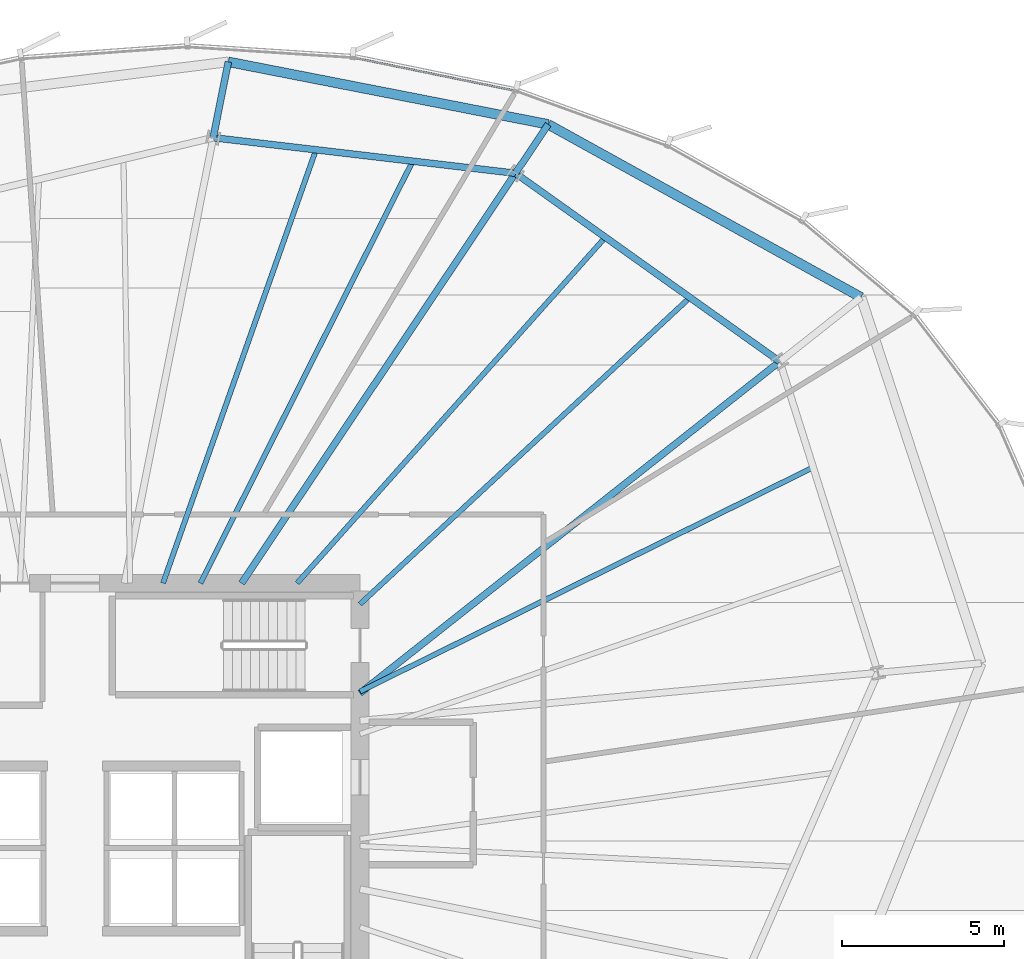
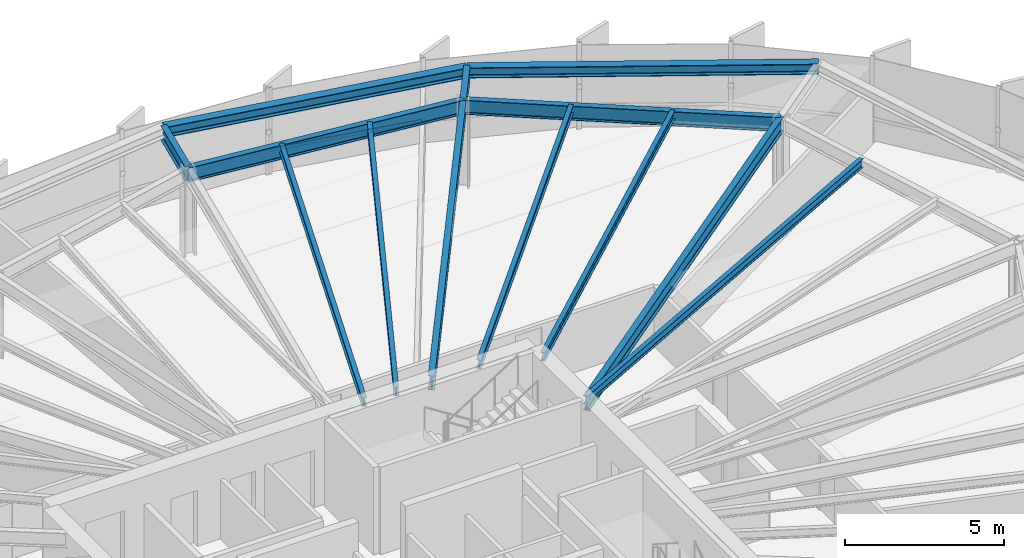
# One storey, part 23 of 35: 13 beams, 1 member, 1 element without a shape of its own.
"""IFC4 building model written with IfcOpenShell, lengths in metres."""

import ifcopenshell
import ifcopenshell.guid

model = None  # the IFC model being written
_history = None  # IfcOwnerHistory: only IFC2X3 demands one
_inside = {}  # id of a spatial element -> (the spatial element, [elements in it])
_under = {}  # id of a project, library or spatial element -> (it, [spatial elements below it])
_declared = {}  # id of a project -> (the project, [libraries it declares])
_typed = {}  # id of a type object -> (the type object, [elements of that type])
_made_of = {}  # id of a material, layer set ... -> (it, [elements and type objects made of it])


def new_model(schema):
    """Start an empty IFC model of exactly this schema.

    Asked for "IFC4X3", IfcOpenShell would pick the latest addendum, in which some entities
    have other attributes; the version numbers below select the first issue.
    IFC2X3 requires an IfcOwnerHistory on every rooted entity: one is made here for all.
    """
    global model, _history
    if schema == "IFC4X3":
        model = ifcopenshell.file(schema_version=(4, 3, 0, 0))
    else:
        model = ifcopenshell.file(schema=schema)
    _inside.clear()
    _under.clear()
    _declared.clear()
    _typed.clear()
    _made_of.clear()
    _history = None
    if model.schema == "IFC2X3":
        org = make("IfcOrganization", Name="unknown")
        user = make(
            "IfcPersonAndOrganization",
            ThePerson=make("IfcPerson", FamilyName="unknown"),
            TheOrganization=org,
        )
        app = make(
            "IfcApplication",
            ApplicationDeveloper=org,
            Version="unknown",
            ApplicationFullName="unknown",
            ApplicationIdentifier="unknown",
        )
        _history = make(
            "IfcOwnerHistory",
            OwningUser=user,
            OwningApplication=app,
            ChangeAction="ADDED",
            CreationDate=0,
        )
    return model


def make(cls, **values):
    """One entity of the class cls with the attributes given. An attribute that is None is left unset."""
    return model.create_entity(
        cls, **{name: value for name, value in values.items() if value is not None}
    )


def rooted(cls, **values):
    """An entity with a GlobalId (a new one), such as an element, a storey or a relation."""
    return make(cls, GlobalId=ifcopenshell.guid.new(), OwnerHistory=_history, **values)


def si_unit(unit_type, name, prefix=None):
    """IfcSIUnit, for example si_unit("LENGTHUNIT", "METRE", prefix="MILLI")."""
    return make("IfcSIUnit", UnitType=unit_type, Prefix=prefix, Name=name)


def assignment(units):
    """IfcUnitAssignment: the units of a project."""
    return None if units is None else make("IfcUnitAssignment", Units=units)


def point(xyz):
    """IfcCartesianPoint."""
    return None if xyz is None else make("IfcCartesianPoint", Coordinates=xyz)


def direction(xyz):
    """IfcDirection."""
    return None if xyz is None else make("IfcDirection", DirectionRatios=xyz)


def frame(location, z_axis=None, x_axis=None):
    """IfcAxis2Placement3D, a coordinate frame: its origin and axes. An axis left out is left unset."""
    return make(
        "IfcAxis2Placement3D",
        Location=point(location),
        Axis=direction(z_axis),
        RefDirection=direction(x_axis),
    )


def frame_2d(location, x_axis=None):
    """IfcAxis2Placement2D, a coordinate frame in the plane: its origin and x axis."""
    return make(
        "IfcAxis2Placement2D", Location=point(location), RefDirection=direction(x_axis)
    )


def origin():
    """The frame at (0, 0, 0) with its axes left unset."""
    return frame((0.0, 0.0, 0.0))


def origin_2d():
    """The frame at (0, 0) in the plane with its x axis left unset."""
    return frame_2d((0.0, 0.0))


def place(relative_to, where):
    """IfcLocalPlacement: puts the frame where relative to a parent placement (None: the world)."""
    return make(
        "IfcLocalPlacement", PlacementRelTo=relative_to, RelativePlacement=where
    )


def context(
    kind, dimensions, precision=None, world=None, true_north=None, identifier=None
):
    """IfcGeometricRepresentationContext, for example the 3D "Model" context."""
    return make(
        "IfcGeometricRepresentationContext",
        ContextIdentifier=identifier,
        ContextType=kind,
        CoordinateSpaceDimension=dimensions,
        Precision=precision,
        WorldCoordinateSystem=world,
        TrueNorth=true_north,
    )


def subcontext(parent, identifier, kind, view, scale=None):
    """IfcGeometricRepresentationSubContext, for example "Body" below "Model"."""
    return make(
        "IfcGeometricRepresentationSubContext",
        ContextIdentifier=identifier,
        ContextType=kind,
        ParentContext=parent,
        TargetScale=scale,
        TargetView=view,
    )


def project(units=None, contexts=None):
    """IfcProject with its units and contexts."""
    return rooted(
        "IfcProject",
        Name="project",
        RepresentationContexts=contexts,
        UnitsInContext=assignment(units),
    )


def spatial(cls, under=None, at=None, **own):
    """A site, building, storey or space (cls), placed at a placement, below another one or the project."""
    s = rooted(cls, ObjectPlacement=at, **own)
    if under is not None:
        _under.setdefault(under.id(), (under, []))[1].append(s)
    return s


def profile(cls, at=None, kind="AREA", **sizes):
    """A parametric profile (cls). Its sizes go by their IFC names, for example OverallWidth=200.0."""
    return make(cls, ProfileType=kind, Position=at, **sizes)


def hollow_rectangle(**sizes):
    """IfcRectangleHollowProfileDef."""
    return profile("IfcRectangleHollowProfileDef", **sizes)


def i_section(**sizes):
    """IfcIShapeProfileDef."""
    return profile("IfcIShapeProfileDef", **sizes)


def extrude(swept, where, along, depth):
    """IfcExtrudedAreaSolid: the profile swept, set in the frame where, extruded along a direction by depth."""
    return make(
        "IfcExtrudedAreaSolid",
        SweptArea=swept,
        Position=where,
        ExtrudedDirection=direction(along),
        Depth=depth,
    )


def shape(context_of_items, identifier, shape_type, items):
    """IfcShapeRepresentation: the items that make up one representation, for example the "Body"."""
    return make(
        "IfcShapeRepresentation",
        ContextOfItems=context_of_items,
        RepresentationIdentifier=identifier,
        RepresentationType=shape_type,
        Items=items,
    )


def source(mapping_origin, context_of_items, identifier, shape_type, items):
    """IfcRepresentationMap: a shape defined once, which mapped items show again and again."""
    return make(
        "IfcRepresentationMap",
        MappingOrigin=mapping_origin,
        MappedRepresentation=shape(context_of_items, identifier, shape_type, items),
    )


def transform(
    local_origin,
    x_axis=None,
    y_axis=None,
    z_axis=None,
    scale=None,
    scale2=None,
    scale3=None,
    uniform=True,
):
    """IfcCartesianTransformationOperator3D, or its non-uniform kind. x_axis, y_axis, z_axis: its Axis1, 2, 3."""
    if uniform:
        return make(
            "IfcCartesianTransformationOperator3D",
            Axis1=direction(x_axis),
            Axis2=direction(y_axis),
            LocalOrigin=point(local_origin),
            Scale=scale,
            Axis3=direction(z_axis),
        )
    return make(
        "IfcCartesianTransformationOperator3DnonUniform",
        Axis1=direction(x_axis),
        Axis2=direction(y_axis),
        LocalOrigin=point(local_origin),
        Scale=scale,
        Axis3=direction(z_axis),
        Scale2=scale2,
        Scale3=scale3,
    )


def mapped(mapping_source, mapping_target):
    """IfcMappedItem: shows the shape of a source again, moved by a transform."""
    return make(
        "IfcMappedItem", MappingSource=mapping_source, MappingTarget=mapping_target
    )


def material(Name=None, Category=None):
    """IfcMaterial."""
    return make("IfcMaterial", Name=Name, Category=Category)


def layer(
    of_material, thickness, ventilated=None, Name=None, Category=None, Priority=None
):
    """IfcMaterialLayer: one layer of a wall or slab, of a material (None: an air gap)."""
    return make(
        "IfcMaterialLayer",
        Material=of_material,
        LayerThickness=thickness,
        IsVentilated=ventilated,
        Name=Name,
        Category=Category,
        Priority=Priority,
    )


def layer_set(layers, Name=None):
    """IfcMaterialLayerSet."""
    return make("IfcMaterialLayerSet", MaterialLayers=layers, LayerSetName=Name)


def material_profile(
    of_material, cross_section, Name=None, Category=None, Priority=None
):
    """IfcMaterialProfile: a cross section and its material."""
    return make(
        "IfcMaterialProfile",
        Name=Name,
        Material=of_material,
        Profile=cross_section,
        Priority=Priority,
        Category=Category,
    )


def profile_set(profiles, Name=None, composite=None):
    """IfcMaterialProfileSet."""
    return make(
        "IfcMaterialProfileSet",
        Name=Name,
        MaterialProfiles=profiles,
        CompositeProfile=composite,
    )


def made_of(thing, what):
    """Note that an element or type object is made of a material, layer set ...; save() writes the relation."""
    if what is not None:
        _made_of.setdefault(what.id(), (what, []))[1].append(thing)
    return thing


def type_object(cls, material=None, **own):
    """A type object (cls), such as IfcWallType, which elements share."""
    return made_of(rooted(cls, **own), material)


def element(
    cls,
    number,
    at=None,
    inside=None,
    cuts=None,
    type_object=None,
    material=None,
    context=None,
    identifier="Body",
    shape_type=None,
    held_by="IfcProductDefinitionShape",
    body=None,
    shapes=None,
    **own,
):
    """One element of the class cls, such as IfcWall. Its Tag is "e" and its number.

    at: its placement. inside: the storey or other place that contains it. cuts: it is an
    opening in that element (IfcRelVoidsElement). A single representation is given by context,
    identifier, shape_type and body (its items); several are given by shapes. held_by: the class
    of the entity that holds the representations. save() writes the other relations.
    """
    e = rooted(cls, Tag="e%d" % number, ObjectPlacement=at, **own)
    if body is not None:
        shapes = [shape(context, identifier, shape_type, body)]
    if shapes is not None:
        e.Representation = make(held_by, Representations=shapes)
    if inside is not None:
        _inside.setdefault(inside.id(), (inside, []))[1].append(e)
    if cuts is not None:
        rooted(
            "IfcRelVoidsElement", RelatingBuildingElement=cuts, RelatedOpeningElement=e
        )
    if type_object is not None:
        _typed.setdefault(type_object.id(), (type_object, []))[1].append(e)
    return made_of(e, material)


def aggregate(whole, parts):
    """IfcRelAggregates: a whole, such as a stair, and the parts it consists of."""
    return rooted("IfcRelAggregates", RelatingObject=whole, RelatedObjects=parts)


def save(model, path):
    """Write the relations noted so far, then the file.

    IfcRelAggregates (storeys below a building ...), IfcRelContainedInSpatialStructure (elements
    in a storey), IfcRelDefinesByType, IfcRelAssociatesMaterial and IfcRelDeclares: one each for
    every whole, place, type object, material and project.
    """
    for whole, parts in _under.values():
        aggregate(whole, parts)
    for where, things in _inside.values():
        rooted(
            "IfcRelContainedInSpatialStructure",
            RelatedElements=things,
            RelatingStructure=where,
        )
    for kind, things in _typed.values():
        rooted("IfcRelDefinesByType", RelatedObjects=things, RelatingType=kind)
    for what, things in _made_of.values():
        rooted("IfcRelAssociatesMaterial", RelatedObjects=things, RelatingMaterial=what)
    for by, libraries in _declared.values():
        rooted("IfcRelDeclares", RelatingContext=by, RelatedDefinitions=libraries)
    model.write(path)


model = new_model("IFC4")

# Units and contexts
model_context = context("Model", 3, precision=1e-05, world=origin(), true_north=direction((0.0, 1.0)))
body_context = subcontext(model_context, "Body", "Model", "MODEL_VIEW")
ifc_project = project(units=[si_unit("LENGTHUNIT", "METRE"), si_unit("AREAUNIT", "SQUARE_METRE"), si_unit("VOLUMEUNIT", "CUBIC_METRE"), si_unit("PLANEANGLEUNIT", "RADIAN"), si_unit("MASSUNIT", "GRAM", prefix="KILO"), si_unit("THERMODYNAMICTEMPERATUREUNIT", "KELVIN")], contexts=[model_context])

# Site, building, storey
site_placement = place(None, origin())
site = spatial("IfcSite", under=ifc_project, at=site_placement, CompositionType="ELEMENT")
building_placement = place(site_placement, origin())
building = spatial("IfcBuilding", under=site, at=building_placement, Name="Kethvar Cultural Tower", CompositionType="ELEMENT")
storey_placement = place(building_placement, frame((0.0, 0.0, 100.0)))
storey = spatial("IfcBuildingStorey", under=building, at=storey_placement, Name="L24", CompositionType="ELEMENT", Elevation=100.0)

# Beams
ifc_material_1 = material(Name="Steel S355J2", Category="steel")
ifc_material_profile_1 = material_profile(ifc_material_1, i_section(OverallWidth=0.2099609375, OverallDepth=0.550048828125, WebThickness=0.010986328125, FlangeThickness=0.01708984375, FilletRadius=0.02392578125, at=origin_2d()), Name="Steel S355J2 — IPE550")
ifc_profile_set_1 = profile_set([ifc_material_profile_1], Name="Steel S355J2 — IPE550")
beam_type_1 = type_object("IfcBeamType", Name="BM-IPE550", PredefinedType="BEAM", material=ifc_profile_set_1)
shared_shape_1 = source(origin(), body_context, "Body", "SweptSolid", [
    extrude(i_section(OverallWidth=0.2099609375, OverallDepth=0.550048828125, WebThickness=0.010986328125, FlangeThickness=0.01708984375, FilletRadius=0.02392578125, at=origin_2d()), origin(), (0.0, 0.0, 1.0), 16.527099609375),
])
beam_1_placement = place(storey_placement, frame((55.60009765625, 32.10009765625, 3.072998046875), z_axis=(0.784681939021, 0.619898584105, 0.0), x_axis=(-0.619898584105, 0.784681939021, 0.0)))
element("IfcBeam", 1, at=beam_1_placement, inside=storey, type_object=beam_type_1, Name="L24 Primary Radial Beam RB-02", PredefinedType="BEAM", context=body_context, shape_type="MappedRepresentation", body=[
    mapped(shared_shape_1, transform((0.0, 0.0, 0.0), scale=1.0)),
])
shared_shape_2 = source(origin(), body_context, "Body", "SweptSolid", [
    extrude(i_section(OverallWidth=0.2099609375, OverallDepth=0.550048828125, WebThickness=0.010986328125, FlangeThickness=0.01708984375, FilletRadius=0.02392578125, at=origin_2d()), origin(), (0.0, 0.0, 1.0), 15.22705078125),
])
beam_2_placement = place(storey_placement, frame((51.945068359375, 35.5, 3.072998046875), z_axis=(0.555569390778, 0.83147017507, 0.0), x_axis=(-0.83147017507, 0.555569390778, 0.0)))
element("IfcBeam", 2, at=beam_2_placement, inside=storey, type_object=beam_type_1, Name="L24 Primary Radial Beam RB-03", PredefinedType="BEAM", context=body_context, shape_type="MappedRepresentation", body=[
    mapped(shared_shape_2, transform((0.0, 0.0, 0.0), scale=1.0)),
])
ifc_material_profile_2 = material_profile(ifc_material_1, i_section(OverallWidth=0.159912109375, OverallDepth=0.330078125, WebThickness=0.007568359375, FlangeThickness=0.011474609375, FilletRadius=0.01806640625, at=origin_2d()), Name="Steel S355J2 — IPE330")
ifc_profile_set_2 = profile_set([ifc_material_profile_2], Name="Steel S355J2 — IPE330")
beam_type_2 = type_object("IfcBeamType", Name="BM-J330", PredefinedType="JOIST", material=ifc_profile_set_2)
shared_shape_3 = source(origin(), body_context, "Body", "SweptSolid", [
    extrude(i_section(OverallWidth=0.159912109375, OverallDepth=0.330078125, WebThickness=0.007568359375, FlangeThickness=0.011474609375, FilletRadius=0.01806640625, at=origin_2d()), origin(), (0.0, 0.0, 1.0), 15.618896484375),
])
beam_3_placement = place(storey_placement, frame((55.60009765625, 32.152587890625, 3.18310546875), z_axis=(0.896344638992, 0.443357968408, 0.0), x_axis=(-0.443357968408, 0.896344638992, 0.0)))
element("IfcBeam", 3, at=beam_3_placement, inside=storey, type_object=beam_type_2, Name="L24 Composite Floor Joist J-01B", PredefinedType="JOIST", context=body_context, shape_type="MappedRepresentation", body=[
    mapped(shared_shape_3, transform((0.0, 0.0, 0.0), scale=1.0)),
])
shared_shape_4 = source(origin(), body_context, "Body", "SweptSolid", [
    extrude(i_section(OverallWidth=0.2099609375, OverallDepth=0.550048828125, WebThickness=0.010986328125, FlangeThickness=0.01708984375, FilletRadius=0.02392578125, at=origin_2d()), origin(), (0.0, 0.0, 1.0), 10.0234375),
])
beam_4_placement = place(storey_placement, frame((68.568603515625, 42.34521484375, 3.072998046875), z_axis=(-0.814470106239, 0.580205520521, 0.0), x_axis=(-0.580205520521, -0.814470106239, 0.0)))
element("IfcBeam", 4, at=beam_4_placement, inside=storey, type_object=beam_type_1, Name="L24 Column Ring Tie Beam CR-02", PredefinedType="BEAM", context=body_context, shape_type="MappedRepresentation", body=[
    mapped(shared_shape_4, transform((0.0, 0.0, 0.0), scale=1.0)),
])
shared_shape_5 = source(origin(), body_context, "Body", "SweptSolid", [
    extrude(i_section(OverallWidth=0.159912109375, OverallDepth=0.330078125, WebThickness=0.007568359375, FlangeThickness=0.011474609375, FilletRadius=0.01806640625, at=origin_2d()), origin(), (0.0, 0.0, 1.0), 13.91455078125),
])
beam_5_placement = place(storey_placement, frame((55.60009765625, 34.85009765625, 3.18310546875), z_axis=(0.732512843328, 0.680753211054, 0.0), x_axis=(-0.680753211054, 0.732512843328, 0.0)))
element("IfcBeam", 5, at=beam_5_placement, inside=storey, type_object=beam_type_2, Name="L24 Composite Floor Joist J-02A", PredefinedType="JOIST", context=body_context, shape_type="MappedRepresentation", body=[
    mapped(shared_shape_5, transform((0.0, 0.0, 0.0), scale=1.0)),
])
shared_shape_6 = source(origin(), body_context, "Body", "SweptSolid", [
    extrude(i_section(OverallWidth=0.159912109375, OverallDepth=0.330078125, WebThickness=0.007568359375, FlangeThickness=0.011474609375, FilletRadius=0.01806640625, at=origin_2d()), origin(), (0.0, 0.0, 1.0), 14.3095703125),
])
beam_6_placement = place(storey_placement, frame((53.660888671875, 35.5, 3.18310546875), z_axis=(0.665261381663, 0.746610537073, 0.0), x_axis=(-0.746610537073, 0.665261381663, 0.0)))
element("IfcBeam", 6, at=beam_6_placement, inside=storey, type_object=beam_type_2, Name="L24 Composite Floor Joist J-02B", PredefinedType="JOIST", context=body_context, shape_type="MappedRepresentation", body=[
    mapped(shared_shape_6, transform((0.0, 0.0, 0.0), scale=1.0)),
])
shared_shape_7 = source(origin(), body_context, "Body", "SweptSolid", [
    extrude(i_section(OverallWidth=0.2099609375, OverallDepth=0.550048828125, WebThickness=0.010986328125, FlangeThickness=0.01708984375, FilletRadius=0.02392578125, at=origin_2d()), origin(), (0.0, 0.0, 1.0), 9.400634765625),
])
beam_7_placement = place(storey_placement, frame((60.40478515625, 48.160888671875, 3.072998046875), z_axis=(-0.993150427046, 0.116842754407, 0.0), x_axis=(-0.116842754407, -0.993150427046, 0.0)))
element("IfcBeam", 7, at=beam_7_placement, inside=storey, type_object=beam_type_1, Name="L24 Column Ring Tie Beam CR-03", PredefinedType="BEAM", context=body_context, shape_type="MappedRepresentation", body=[
    mapped(shared_shape_7, transform((0.0, 0.0, 0.0), scale=1.0)),
])
shared_shape_8 = source(origin(), body_context, "Body", "SweptSolid", [
    extrude(i_section(OverallWidth=0.159912109375, OverallDepth=0.330078125, WebThickness=0.007568359375, FlangeThickness=0.011474609375, FilletRadius=0.01806640625, at=origin_2d()), origin(), (0.0, 0.0, 1.0), 14.590576171875),
])
beam_8_placement = place(storey_placement, frame((50.673583984375, 35.5, 3.18310546875), z_axis=(0.449394228778, 0.893333547529, 0.0), x_axis=(-0.893333547529, 0.449394228778, 0.0)))
element("IfcBeam", 8, at=beam_8_placement, inside=storey, type_object=beam_type_2, Name="L24 Composite Floor Joist J-03A", PredefinedType="JOIST", context=body_context, shape_type="MappedRepresentation", body=[
    mapped(shared_shape_8, transform((0.0, 0.0, 0.0), scale=1.0)),
])
shared_shape_9 = source(origin(), body_context, "Body", "SweptSolid", [
    extrude(i_section(OverallWidth=0.159912109375, OverallDepth=0.330078125, WebThickness=0.007568359375, FlangeThickness=0.011474609375, FilletRadius=0.01806640625, at=origin_2d()), origin(), (0.0, 0.0, 1.0), 14.1953125),
])
beam_9_placement = place(storey_placement, frame((49.517822265625, 35.5, 3.18310546875), z_axis=(0.332865098769, 0.942974456717, 0.0), x_axis=(-0.942974456717, 0.332865098769, 0.0)))
element("IfcBeam", 9, at=beam_9_placement, inside=storey, type_object=beam_type_2, Name="L24 Composite Floor Joist J-03B", PredefinedType="JOIST", context=body_context, shape_type="MappedRepresentation", body=[
    mapped(shared_shape_9, transform((0.0, 0.0, 0.0), scale=1.0)),
])
shared_shape_10 = source(origin(), body_context, "Body", "SweptSolid", [
    extrude(i_section(OverallWidth=0.2099609375, OverallDepth=0.550048828125, WebThickness=0.010986328125, FlangeThickness=0.01708984375, FilletRadius=0.02392578125, at=origin_2d()), origin(), (0.0, 0.0, 1.0), 1.816650390625),
])
beam_10_placement = place(storey_placement, frame((60.40478515625, 48.160888671875, 3.072998046875), z_axis=(0.55556826029, 0.831470930435, 0.0), x_axis=(-0.831470930435, 0.55556826029, 0.0)))
element("IfcBeam", 10, at=beam_10_placement, inside=storey, type_object=beam_type_1, Name="L24 Perimeter Cantilever Beam RC-03", PredefinedType="BEAM", context=body_context, shape_type="MappedRepresentation", body=[
    mapped(shared_shape_10, transform((0.0, 0.0, 0.0), scale=1.0)),
])
shared_shape_11 = source(origin(), body_context, "Body", "SweptSolid", [
    extrude(i_section(OverallWidth=0.2099609375, OverallDepth=0.550048828125, WebThickness=0.010986328125, FlangeThickness=0.01708984375, FilletRadius=0.02392578125, at=origin_2d()), origin(), (0.0, 0.0, 1.0), 2.38916015625),
])
beam_11_placement = place(storey_placement, frame((51.068603515625, 49.25927734375, 3.072998046875), z_axis=(0.195074505716, 0.980788426328, 0.0), x_axis=(-0.980788426328, 0.195074505716, 0.0)))
element("IfcBeam", 11, at=beam_11_placement, inside=storey, type_object=beam_type_1, Name="L24 Perimeter Cantilever Beam RC-04", PredefinedType="BEAM", context=body_context, shape_type="MappedRepresentation", body=[
    mapped(shared_shape_11, transform((0.0, 0.0, 0.0), scale=1.0)),
])
ifc_material_profile_3 = material_profile(ifc_material_1, i_section(OverallWidth=0.300048828125, OverallDepth=0.39990234375, WebThickness=0.013427734375, FlangeThickness=0.02392578125, FilletRadius=0.027099609375, at=origin_2d()), Name="Steel S355J2 — HEB400")
ifc_profile_set_3 = profile_set([ifc_material_profile_3], Name="Steel S355J2 — HEB400")
beam_type_3 = type_object("IfcBeamType", Name="BM-SP400", PredefinedType="SPANDREL", material=ifc_profile_set_3)
shared_shape_12 = source(origin(), body_context, "Body", "SweptSolid", [
    extrude(i_section(OverallWidth=0.300048828125, OverallDepth=0.39990234375, WebThickness=0.013427734375, FlangeThickness=0.02392578125, FilletRadius=0.027099609375, at=origin_2d()), origin(), (0.0, 0.0, 1.0), 11.043701171875),
])
beam_12_placement = place(storey_placement, frame((71.07958984375, 44.3291015625, 3.14794921875), z_axis=(-0.875210501943, 0.483742263286, 0.0), x_axis=(-0.483742263286, -0.875210501943, 0.0)))
element("IfcBeam", 12, at=beam_12_placement, inside=storey, type_object=beam_type_3, Name="L24 Perimeter Spandrel Beam SP-02", PredefinedType="SPANDREL", context=body_context, shape_type="MappedRepresentation", body=[
    mapped(shared_shape_12, transform((0.0, 0.0, 0.0), scale=1.0)),
])
shared_shape_13 = source(origin(), body_context, "Body", "SweptSolid", [
    extrude(i_section(OverallWidth=0.300048828125, OverallDepth=0.39990234375, WebThickness=0.013427734375, FlangeThickness=0.02392578125, FilletRadius=0.027099609375, at=origin_2d()), origin(), (0.0, 0.0, 1.0), 10.06640625),
])
beam_13_placement = place(storey_placement, frame((61.4140625, 49.67138671875, 3.14794921875), z_axis=(-0.981425824005, 0.191841997427, 0.0), x_axis=(-0.191841997427, -0.981425824005, 0.0)))
element("IfcBeam", 13, at=beam_13_placement, inside=storey, type_object=beam_type_3, Name="L24 Perimeter Spandrel Beam SP-03", PredefinedType="SPANDREL", context=body_context, shape_type="MappedRepresentation", body=[
    mapped(shared_shape_13, transform((0.0, 0.0, 0.0), scale=1.0)),
])

# Curtain wall, member
ifc_material_2 = material(Name="Aluminium 6063-T6", Category="aluminium")
ifc_layer = layer(ifc_material_2, 0.179931640625, Name="Aluminium 6063-T6", Category="aluminium")
ifc_layer_set = layer_set([ifc_layer], Name="Aluminium 6063-T6 (180 mm)")
curtain_wall_type = type_object("IfcCurtainWallType", Name="CW-SYS-03-Z2", PredefinedType="NOTDEFINED", material=ifc_layer_set)
curtain_wall_placement = place(storey_placement, origin())
curtain_wall = element("IfcCurtainWall", 14, at=curtain_wall_placement, inside=storey, type_object=curtain_wall_type, Name="L24 Curtain Wall Run 01", PredefinedType="NOTDEFINED")
ifc_material_profile_4 = material_profile(ifc_material_2, hollow_rectangle(XDim=0.054931640625, YDim=0.1201171875, WallThickness=0.00390625, at=origin_2d()), Name="Aluminium 6063-T6 — RHS120x55x4")
ifc_profile_set_4 = profile_set([ifc_material_profile_4], Name="Aluminium 6063-T6 — RHS120x55x4")
member_type = type_object("IfcMemberType", Name="CW-SYS-03-Z2-TRN", PredefinedType="USERDEFINED", material=ifc_profile_set_4)
shared_shape_14 = source(origin(), body_context, "Body", "SweptSolid", [
    extrude(hollow_rectangle(XDim=0.054931640625, YDim=0.1201171875, WallThickness=0.00390625, at=origin_2d()), origin(), (0.0, 0.0, 1.0), 5.035400390625),
])
member_placement = place(storey_placement, frame((60.377685546875, 50.712890625, 0.949951171875), z_axis=(-0.979606616026, 0.200925055277, 0.0), x_axis=(-0.200925055277, -0.979606616026, 0.0)))
member = element("IfcMember", 15, at=member_placement, type_object=member_type, Name="CW-L24-R01 Transom 6", ObjectType="TRANSOM", PredefinedType="USERDEFINED", context=body_context, shape_type="MappedRepresentation", body=[
    mapped(shared_shape_14, transform((0.0, 0.0, 0.0), scale=1.0)),
])
aggregate(curtain_wall, [member])

save(model, "model.ifc")
